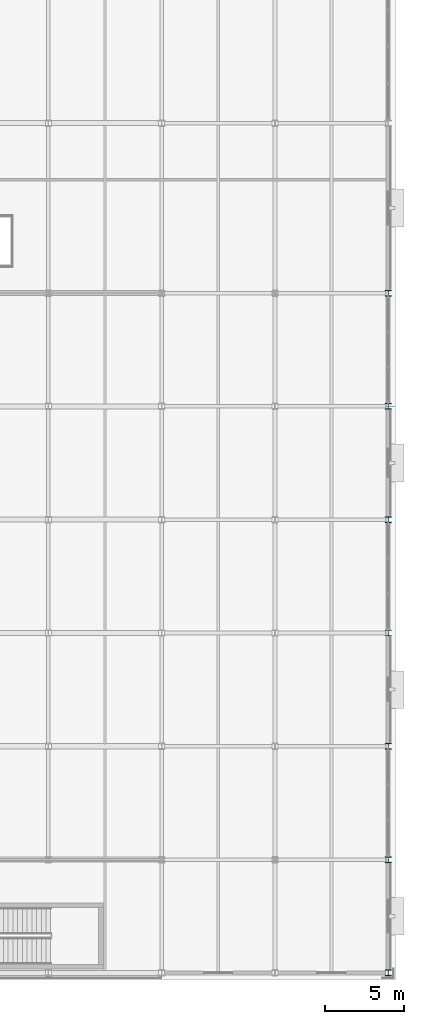
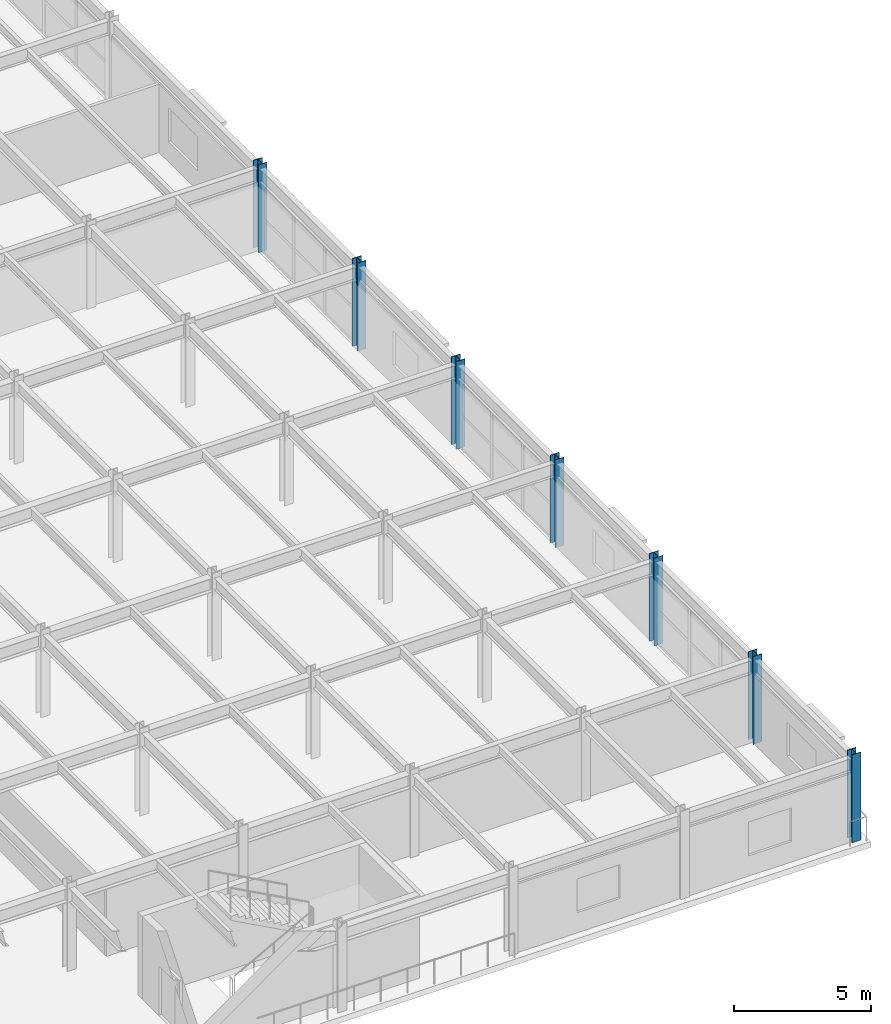
# One storey, part 12 of 93: 7 columns.
"""IFC4 building model written with IfcOpenShell, lengths in metres."""

from ifc_helpers import new_model, si_unit, direction, frame, origin, origin_2d, place, context, subcontext, project, spatial, i_section, extrude, material, material_profile, profile_set, type_object, element, save


model = new_model("IFC4")

# Units and contexts
model_context = context("Model", 3, precision=1e-05, world=origin(), true_north=direction((0.0, 1.0)))
body_context = subcontext(model_context, "Body", "Model", "MODEL_VIEW")
ifc_project = project(units=[si_unit("LENGTHUNIT", "METRE"), si_unit("AREAUNIT", "SQUARE_METRE"), si_unit("VOLUMEUNIT", "CUBIC_METRE"), si_unit("PLANEANGLEUNIT", "RADIAN"), si_unit("MASSUNIT", "GRAM", prefix="KILO")], contexts=[model_context])

# Site, building, storey
site_placement = place(None, origin())
site = spatial("IfcSite", under=ifc_project, at=site_placement, CompositionType="ELEMENT")
building_placement = place(site_placement, origin())
building = spatial("IfcBuilding", under=site, at=building_placement, Name="Vaelcorin Mobility Hub", CompositionType="ELEMENT")
storey_placement = place(building_placement, frame((0.0, 0.0, 5.39990234375)))
storey = spatial("IfcBuildingStorey", under=building, at=storey_placement, Name="L01", CompositionType="ELEMENT", Elevation=5.39990234375)

# Columns
ifc_material = material(Name="Steel ASTM A992 Grade 50", Category="steel")
ifc_material_profile = material_profile(ifc_material, i_section(OverallWidth=0.373046875, OverallDepth=0.373046875, WebThickness=0.016357421875, FlangeThickness=0.026123046875, FilletRadius=0.014892578125, at=origin_2d()), Name="W14X132")
ifc_profile_set = profile_set([ifc_material_profile], Name="Steel ASTM A992 Grade 50")
column_type = type_object("IfcColumnType", Name="COL-W14X132", PredefinedType="COLUMN", material=ifc_profile_set)
for number, where, z_axis, x_axis, name in (
    (1, (204.0, 6.0, 0.0), (0.0, 0.0, 1.0), (1.0, 0.0, 0.0), "Column V5-X08Y01 L01"),
    (2, (204.0, 13.199951171875, 0.0), (0.0, 0.0, 1.0), (1.0, 0.0, 0.0), "Column V5-X08Y02 L01"),
    (3, (204.0, 20.39990234375, 0.0), (0.0, 0.0, 1.0), (1.0, 0.0, 0.0), "Column V5-X08Y03 L01"),
    (4, (204.0, 27.60009765625, 0.0), (0.0, 0.0, 1.0), (1.0, 0.0, 0.0), "Column V5-X08Y04 L01"),
    (5, (204.0, 34.800048828125, 0.0), (0.0, 0.0, 1.0), (1.0, 0.0, 0.0), "Column V5-X08Y05 L01"),
    (6, (204.0, 42.0, 0.0), (0.0, 0.0, 1.0), (1.0, 0.0, 0.0), "Column V5-X08Y06 L01"),
    (7, (204.0, 49.199951171875, 0.0), (0.0, 0.0, 1.0), (1.0, 0.0, 0.0), "Column V5-X08Y07 L01"),
):
    element("IfcColumn", number, at=place(storey_placement, frame(where, z_axis=z_axis, x_axis=x_axis)), inside=storey, type_object=column_type, Name=name, PredefinedType="COLUMN", context=body_context, shape_type="SweptSolid", body=[
        extrude(i_section(OverallWidth=0.373046875, OverallDepth=0.373046875, WebThickness=0.016357421875, FlangeThickness=0.026123046875, FilletRadius=0.014892578125, at=origin_2d()), origin(), (0.0, 0.0, 1.0), 3.900146484375),
    ])

save(model, "model.ifc")
